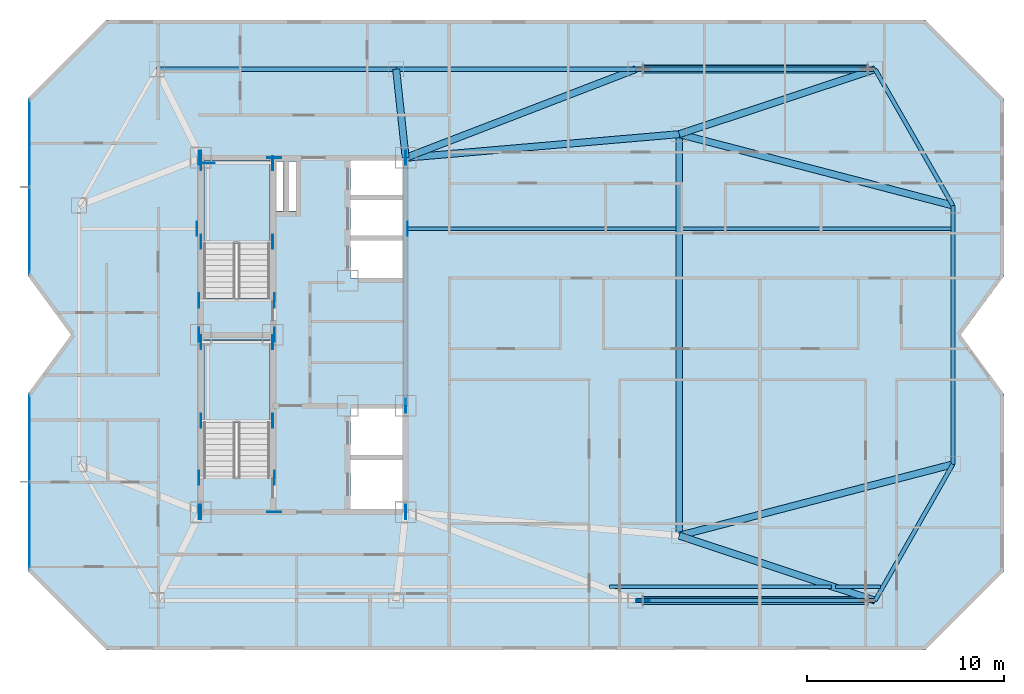
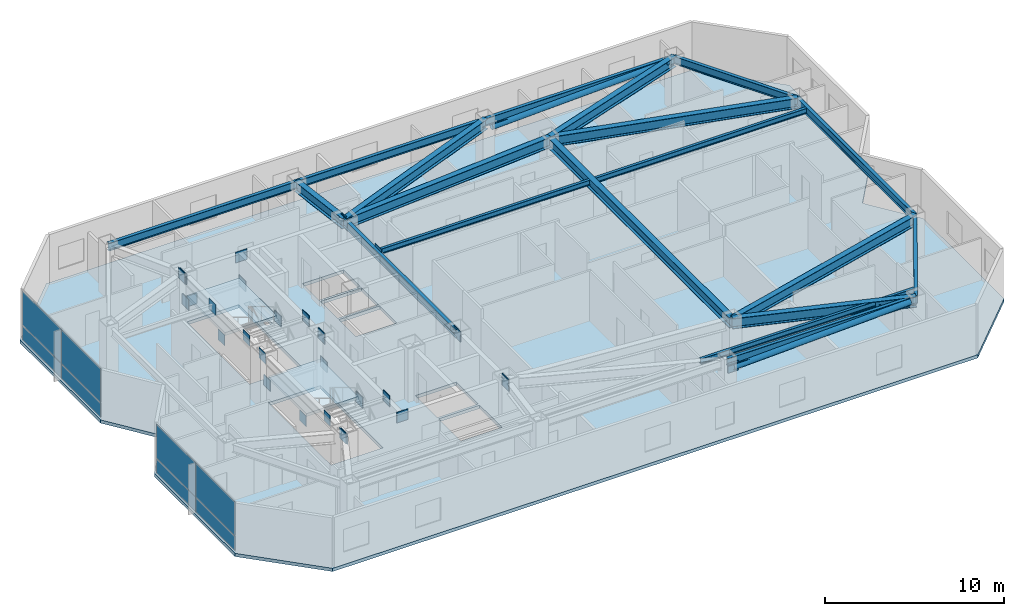
# One storey, part 8 of 15: 37 plates, 20 beams, 3 slabs, 2 members, 4 elements without a shape of their own.
"""IFC4 building model written with IfcOpenShell, lengths in metres."""

import ifcopenshell
import ifcopenshell.guid

model = None  # the IFC model being written
_history = None  # IfcOwnerHistory: only IFC2X3 demands one
_inside = {}  # id of a spatial element -> (the spatial element, [elements in it])
_under = {}  # id of a project, library or spatial element -> (it, [spatial elements below it])
_declared = {}  # id of a project -> (the project, [libraries it declares])
_typed = {}  # id of a type object -> (the type object, [elements of that type])
_made_of = {}  # id of a material, layer set ... -> (it, [elements and type objects made of it])


def new_model(schema):
    """Start an empty IFC model of exactly this schema.

    Asked for "IFC4X3", IfcOpenShell would pick the latest addendum, in which some entities
    have other attributes; the version numbers below select the first issue.
    IFC2X3 requires an IfcOwnerHistory on every rooted entity: one is made here for all.
    """
    global model, _history
    if schema == "IFC4X3":
        model = ifcopenshell.file(schema_version=(4, 3, 0, 0))
    else:
        model = ifcopenshell.file(schema=schema)
    _inside.clear()
    _under.clear()
    _declared.clear()
    _typed.clear()
    _made_of.clear()
    _history = None
    if model.schema == "IFC2X3":
        org = make("IfcOrganization", Name="unknown")
        user = make(
            "IfcPersonAndOrganization",
            ThePerson=make("IfcPerson", FamilyName="unknown"),
            TheOrganization=org,
        )
        app = make(
            "IfcApplication",
            ApplicationDeveloper=org,
            Version="unknown",
            ApplicationFullName="unknown",
            ApplicationIdentifier="unknown",
        )
        _history = make(
            "IfcOwnerHistory",
            OwningUser=user,
            OwningApplication=app,
            ChangeAction="ADDED",
            CreationDate=0,
        )
    return model


def make(cls, **values):
    """One entity of the class cls with the attributes given. An attribute that is None is left unset."""
    return model.create_entity(
        cls, **{name: value for name, value in values.items() if value is not None}
    )


def rooted(cls, **values):
    """An entity with a GlobalId (a new one), such as an element, a storey or a relation."""
    return make(cls, GlobalId=ifcopenshell.guid.new(), OwnerHistory=_history, **values)


def si_unit(unit_type, name, prefix=None):
    """IfcSIUnit, for example si_unit("LENGTHUNIT", "METRE", prefix="MILLI")."""
    return make("IfcSIUnit", UnitType=unit_type, Prefix=prefix, Name=name)


def assignment(units):
    """IfcUnitAssignment: the units of a project."""
    return None if units is None else make("IfcUnitAssignment", Units=units)


def point(xyz):
    """IfcCartesianPoint."""
    return None if xyz is None else make("IfcCartesianPoint", Coordinates=xyz)


def direction(xyz):
    """IfcDirection."""
    return None if xyz is None else make("IfcDirection", DirectionRatios=xyz)


def frame(location, z_axis=None, x_axis=None):
    """IfcAxis2Placement3D, a coordinate frame: its origin and axes. An axis left out is left unset."""
    return make(
        "IfcAxis2Placement3D",
        Location=point(location),
        Axis=direction(z_axis),
        RefDirection=direction(x_axis),
    )


def frame_2d(location, x_axis=None):
    """IfcAxis2Placement2D, a coordinate frame in the plane: its origin and x axis."""
    return make(
        "IfcAxis2Placement2D", Location=point(location), RefDirection=direction(x_axis)
    )


def origin():
    """The frame at (0, 0, 0) with its axes left unset."""
    return frame((0.0, 0.0, 0.0))


def origin_2d():
    """The frame at (0, 0) in the plane with its x axis left unset."""
    return frame_2d((0.0, 0.0))


def place(relative_to, where):
    """IfcLocalPlacement: puts the frame where relative to a parent placement (None: the world)."""
    return make(
        "IfcLocalPlacement", PlacementRelTo=relative_to, RelativePlacement=where
    )


def context(
    kind, dimensions, precision=None, world=None, true_north=None, identifier=None
):
    """IfcGeometricRepresentationContext, for example the 3D "Model" context."""
    return make(
        "IfcGeometricRepresentationContext",
        ContextIdentifier=identifier,
        ContextType=kind,
        CoordinateSpaceDimension=dimensions,
        Precision=precision,
        WorldCoordinateSystem=world,
        TrueNorth=true_north,
    )


def subcontext(parent, identifier, kind, view, scale=None):
    """IfcGeometricRepresentationSubContext, for example "Body" below "Model"."""
    return make(
        "IfcGeometricRepresentationSubContext",
        ContextIdentifier=identifier,
        ContextType=kind,
        ParentContext=parent,
        TargetScale=scale,
        TargetView=view,
    )


def project(units=None, contexts=None):
    """IfcProject with its units and contexts."""
    return rooted(
        "IfcProject",
        Name="project",
        RepresentationContexts=contexts,
        UnitsInContext=assignment(units),
    )


def spatial(cls, under=None, at=None, **own):
    """A site, building, storey or space (cls), placed at a placement, below another one or the project."""
    s = rooted(cls, ObjectPlacement=at, **own)
    if under is not None:
        _under.setdefault(under.id(), (under, []))[1].append(s)
    return s


def polyline(points):
    """IfcPolyline through the points."""
    return make("IfcPolyline", Points=[point(p) for p in points])


def profile(cls, at=None, kind="AREA", **sizes):
    """A parametric profile (cls). Its sizes go by their IFC names, for example OverallWidth=200.0."""
    return make(cls, ProfileType=kind, Position=at, **sizes)


def rectangle(**sizes):
    """IfcRectangleProfileDef."""
    return profile("IfcRectangleProfileDef", **sizes)


def hollow_circle(**sizes):
    """IfcCircleHollowProfileDef."""
    return profile("IfcCircleHollowProfileDef", **sizes)


def i_section(**sizes):
    """IfcIShapeProfileDef."""
    return profile("IfcIShapeProfileDef", **sizes)


def outline(outer, holes=None, kind="AREA"):
    """IfcArbitraryClosedProfileDef: a profile drawn as a closed curve; with holes, ...WithVoids."""
    if holes is None:
        return make("IfcArbitraryClosedProfileDef", ProfileType=kind, OuterCurve=outer)
    return make(
        "IfcArbitraryProfileDefWithVoids",
        ProfileType=kind,
        OuterCurve=outer,
        InnerCurves=holes,
    )


def extrude(swept, where, along, depth):
    """IfcExtrudedAreaSolid: the profile swept, set in the frame where, extruded along a direction by depth."""
    return make(
        "IfcExtrudedAreaSolid",
        SweptArea=swept,
        Position=where,
        ExtrudedDirection=direction(along),
        Depth=depth,
    )


def shape(context_of_items, identifier, shape_type, items):
    """IfcShapeRepresentation: the items that make up one representation, for example the "Body"."""
    return make(
        "IfcShapeRepresentation",
        ContextOfItems=context_of_items,
        RepresentationIdentifier=identifier,
        RepresentationType=shape_type,
        Items=items,
    )


def material(Name=None, Category=None):
    """IfcMaterial."""
    return make("IfcMaterial", Name=Name, Category=Category)


def layer(
    of_material, thickness, ventilated=None, Name=None, Category=None, Priority=None
):
    """IfcMaterialLayer: one layer of a wall or slab, of a material (None: an air gap)."""
    return make(
        "IfcMaterialLayer",
        Material=of_material,
        LayerThickness=thickness,
        IsVentilated=ventilated,
        Name=Name,
        Category=Category,
        Priority=Priority,
    )


def layer_set(layers, Name=None):
    """IfcMaterialLayerSet."""
    return make("IfcMaterialLayerSet", MaterialLayers=layers, LayerSetName=Name)


def material_profile(
    of_material, cross_section, Name=None, Category=None, Priority=None
):
    """IfcMaterialProfile: a cross section and its material."""
    return make(
        "IfcMaterialProfile",
        Name=Name,
        Material=of_material,
        Profile=cross_section,
        Priority=Priority,
        Category=Category,
    )


def profile_set(profiles, Name=None, composite=None):
    """IfcMaterialProfileSet."""
    return make(
        "IfcMaterialProfileSet",
        Name=Name,
        MaterialProfiles=profiles,
        CompositeProfile=composite,
    )


def made_of(thing, what):
    """Note that an element or type object is made of a material, layer set ...; save() writes the relation."""
    if what is not None:
        _made_of.setdefault(what.id(), (what, []))[1].append(thing)
    return thing


def type_object(cls, material=None, **own):
    """A type object (cls), such as IfcWallType, which elements share."""
    return made_of(rooted(cls, **own), material)


def element(
    cls,
    number,
    at=None,
    inside=None,
    cuts=None,
    type_object=None,
    material=None,
    context=None,
    identifier="Body",
    shape_type=None,
    held_by="IfcProductDefinitionShape",
    body=None,
    shapes=None,
    **own,
):
    """One element of the class cls, such as IfcWall. Its Tag is "e" and its number.

    at: its placement. inside: the storey or other place that contains it. cuts: it is an
    opening in that element (IfcRelVoidsElement). A single representation is given by context,
    identifier, shape_type and body (its items); several are given by shapes. held_by: the class
    of the entity that holds the representations. save() writes the other relations.
    """
    e = rooted(cls, Tag="e%d" % number, ObjectPlacement=at, **own)
    if body is not None:
        shapes = [shape(context, identifier, shape_type, body)]
    if shapes is not None:
        e.Representation = make(held_by, Representations=shapes)
    if inside is not None:
        _inside.setdefault(inside.id(), (inside, []))[1].append(e)
    if cuts is not None:
        rooted(
            "IfcRelVoidsElement", RelatingBuildingElement=cuts, RelatedOpeningElement=e
        )
    if type_object is not None:
        _typed.setdefault(type_object.id(), (type_object, []))[1].append(e)
    return made_of(e, material)


def aggregate(whole, parts):
    """IfcRelAggregates: a whole, such as a stair, and the parts it consists of."""
    return rooted("IfcRelAggregates", RelatingObject=whole, RelatedObjects=parts)


def save(model, path):
    """Write the relations noted so far, then the file.

    IfcRelAggregates (storeys below a building ...), IfcRelContainedInSpatialStructure (elements
    in a storey), IfcRelDefinesByType, IfcRelAssociatesMaterial and IfcRelDeclares: one each for
    every whole, place, type object, material and project.
    """
    for whole, parts in _under.values():
        aggregate(whole, parts)
    for where, things in _inside.values():
        rooted(
            "IfcRelContainedInSpatialStructure",
            RelatedElements=things,
            RelatingStructure=where,
        )
    for kind, things in _typed.values():
        rooted("IfcRelDefinesByType", RelatedObjects=things, RelatingType=kind)
    for what, things in _made_of.values():
        rooted("IfcRelAssociatesMaterial", RelatedObjects=things, RelatingMaterial=what)
    for by, libraries in _declared.values():
        rooted("IfcRelDeclares", RelatingContext=by, RelatedDefinitions=libraries)
    model.write(path)


model = new_model("IFC4")

# Units and contexts
model_context = context("Model", 3, precision=1e-05, world=origin(), true_north=direction((0.0, 1.0)))
body_context = subcontext(model_context, "Body", "Model", "MODEL_VIEW")
ifc_project = project(units=[si_unit("LENGTHUNIT", "METRE"), si_unit("AREAUNIT", "SQUARE_METRE"), si_unit("VOLUMEUNIT", "CUBIC_METRE"), si_unit("PLANEANGLEUNIT", "RADIAN"), si_unit("MASSUNIT", "GRAM", prefix="KILO")], contexts=[model_context])

# Site, building, storey
site_placement = place(None, origin())
site = spatial("IfcSite", under=ifc_project, at=site_placement, CompositionType="ELEMENT")
building_placement = place(site_placement, origin())
building = spatial("IfcBuilding", under=site, at=building_placement, Name="Khamvora Tower", CompositionType="ELEMENT")
storey_placement = place(building_placement, frame((0.0, 0.0, 220.85009765625)))
storey = spatial("IfcBuildingStorey", under=building, at=storey_placement, Name="L56", CompositionType="ELEMENT", Elevation=220.85009765625)

# Beams
ifc_material_1 = material(Name="Steel S355", Category="steel")
ifc_material_profile_1 = material_profile(ifc_material_1, i_section(OverallWidth=0.1708984375, OverallDepth=0.35498046875, WebThickness=0.007080078125, FlangeThickness=0.011962890625, FilletRadius=0.010009765625, at=origin_2d()), Name="W360x51")
ifc_profile_set_1 = profile_set([ifc_material_profile_1], Name="Steel S355")
beam_type_1 = type_object("IfcBeamType", Name="BM-JS-W360x51", PredefinedType="JOIST", material=ifc_profile_set_1)
beam_1_placement = place(storey_placement, frame((49.75390625, 15.199951171875, 3.251953125), z_axis=(1.0, 0.0, 0.0), x_axis=(0.0, 1.0, 0.0)))
element("IfcBeam", 1, at=beam_1_placement, inside=storey, type_object=beam_type_1, Name="L56 secondary floor joist 03", PredefinedType="JOIST", context=body_context, shape_type="SweptSolid", body=[
    extrude(i_section(OverallWidth=0.1708984375, OverallDepth=0.35498046875, WebThickness=0.007080078125, FlangeThickness=0.011962890625, FilletRadius=0.010009765625, at=origin_2d()), origin(), (0.0, 0.0, 1.0), 11.2900390625),
])
beam_2_placement = place(storey_placement, frame((61.23388671875, 15.199951171875, 3.251953125), z_axis=(1.0, 0.0, 0.0), x_axis=(0.0, 1.0, 0.0)))
element("IfcBeam", 2, at=beam_2_placement, inside=storey, type_object=beam_type_1, Name="L56 secondary floor joist 04", PredefinedType="JOIST", context=body_context, shape_type="SweptSolid", body=[
    extrude(i_section(OverallWidth=0.1708984375, OverallDepth=0.35498046875, WebThickness=0.007080078125, FlangeThickness=0.011962890625, FilletRadius=0.010009765625, at=origin_2d()), origin(), (0.0, 0.0, 1.0), 2.300048828125),
])
beam_3_placement = place(storey_placement, frame((39.4990234375, 33.39990234375, 3.251953125), z_axis=(1.0, 0.0, 0.0), x_axis=(0.0, 1.0, 0.0)))
element("IfcBeam", 3, at=beam_3_placement, inside=storey, type_object=beam_type_1, Name="L56 secondary floor joist 06", PredefinedType="JOIST", context=body_context, shape_type="SweptSolid", body=[
    extrude(i_section(OverallWidth=0.1708984375, OverallDepth=0.35498046875, WebThickness=0.007080078125, FlangeThickness=0.011962890625, FilletRadius=0.010009765625, at=origin_2d()), origin(), (0.0, 0.0, 1.0), 13.6279296875),
])
beam_4_placement = place(storey_placement, frame((53.471923828125, 33.39990234375, 3.251953125), z_axis=(1.0, 0.0, 0.0), x_axis=(0.0, 1.0, 0.0)))
element("IfcBeam", 4, at=beam_4_placement, inside=storey, type_object=beam_type_1, Name="L56 secondary floor joist 07", PredefinedType="JOIST", context=body_context, shape_type="SweptSolid", body=[
    extrude(i_section(OverallWidth=0.1708984375, OverallDepth=0.35498046875, WebThickness=0.007080078125, FlangeThickness=0.011962890625, FilletRadius=0.010009765625, at=origin_2d()), origin(), (0.0, 0.0, 1.0), 13.628173828125),
])
ifc_material_profile_2 = material_profile(ifc_material_1, i_section(OverallWidth=0.35498046875, OverallDepth=0.695068359375, WebThickness=0.014892578125, FlangeThickness=0.02490234375, FilletRadius=0.01611328125, at=origin_2d()), Name="W690x217")
ifc_profile_set_2 = profile_set([ifc_material_profile_2], Name="Steel S355")
beam_type_2 = type_object("IfcBeamType", Name="BM-PG-W690x217", PredefinedType="BEAM", material=ifc_profile_set_2)
beam_5_placement = place(storey_placement, frame((53.300048828125, 17.800048828125, 3.0830078125), z_axis=(0.0, 1.0, 0.0), x_axis=(-1.0, 0.0, 0.0)))
element("IfcBeam", 5, at=beam_5_placement, inside=storey, type_object=beam_type_2, Name="L56 longitudinal frame girder M1-M2", PredefinedType="BEAM", context=body_context, shape_type="SweptSolid", body=[
    extrude(i_section(OverallWidth=0.35498046875, OverallDepth=0.695068359375, WebThickness=0.014892578125, FlangeThickness=0.02490234375, FilletRadius=0.01611328125, at=origin_2d()), origin(), (0.0, 0.0, 1.0), 20.39990234375),
])
beam_6_placement = place(storey_placement, frame((53.300048828125, 17.800048828125, 3.0830078125), z_axis=(0.949157330029, -0.314802101092, 0.0), x_axis=(0.314802101092, 0.949157330029, 0.0)))
element("IfcBeam", 6, at=beam_6_placement, inside=storey, type_object=beam_type_2, Name="L56 primary floor girder S4", PredefinedType="BEAM", context=body_context, shape_type="SweptSolid", body=[
    extrude(i_section(OverallWidth=0.35498046875, OverallDepth=0.695068359375, WebThickness=0.014892578125, FlangeThickness=0.02490234375, FilletRadius=0.01611328125, at=origin_2d()), origin(), (0.0, 0.0, 1.0), 10.48291015625),
])
beam_7_placement = place(storey_placement, frame((39.39990234375, 37.0, 3.0830078125), z_axis=(-0.106700735484, 0.994291181218, 0.0), x_axis=(-0.994291181218, -0.106700735484, 0.0)))
element("IfcBeam", 7, at=beam_7_placement, inside=storey, type_object=beam_type_2, Name="L56 primary floor girder N2", PredefinedType="BEAM", context=body_context, shape_type="SweptSolid", body=[
    extrude(i_section(OverallWidth=0.35498046875, OverallDepth=0.695068359375, WebThickness=0.014892578125, FlangeThickness=0.02490234375, FilletRadius=0.01611328125, at=origin_2d()), origin(), (0.0, 0.0, 1.0), 4.52587890625),
])
beam_8_placement = place(storey_placement, frame((39.39990234375, 37.0, 3.0830078125), z_axis=(0.933171601475, 0.359431164759, 0.0), x_axis=(-0.359431164759, 0.933171601475, 0.0)))
element("IfcBeam", 8, at=beam_8_placement, inside=storey, type_object=beam_type_2, Name="L56 primary floor girder N3", PredefinedType="BEAM", context=body_context, shape_type="SweptSolid", body=[
    extrude(i_section(OverallWidth=0.35498046875, OverallDepth=0.695068359375, WebThickness=0.014892578125, FlangeThickness=0.02490234375, FilletRadius=0.01611328125, at=origin_2d()), origin(), (0.0, 0.0, 1.0), 12.519775390625),
])
beam_9_placement = place(storey_placement, frame((53.300048828125, 38.199951171875, 3.0830078125), z_axis=(0.949157330029, 0.314802101092, 0.0), x_axis=(-0.314802101092, 0.949157330029, 0.0)))
element("IfcBeam", 9, at=beam_9_placement, inside=storey, type_object=beam_type_2, Name="L56 primary floor girder N4", PredefinedType="BEAM", context=body_context, shape_type="SweptSolid", body=[
    extrude(i_section(OverallWidth=0.35498046875, OverallDepth=0.695068359375, WebThickness=0.014892578125, FlangeThickness=0.02490234375, FilletRadius=0.01611328125, at=origin_2d()), origin(), (0.0, 0.0, 1.0), 10.48291015625),
])
for number, where, z_axis, x_axis, name in (
    (10, (53.300048828125, 17.800048828125, 3.0830078125), (0.967635318494, 0.252352710314, 0.0), (-0.252352710314, 0.967635318494, 0.0), "L56 primary floor girder E1"),
    (11, (53.300048828125, 38.199951171875, 3.0830078125), (0.967635318494, -0.252352710314, 0.0), (0.252352710314, 0.967635318494, 0.0), "L56 primary floor girder E2"),
):
    element("IfcBeam", number, at=place(storey_placement, frame(where, z_axis=z_axis, x_axis=x_axis)), inside=storey, type_object=beam_type_2, Name=name, PredefinedType="BEAM", context=body_context, shape_type="SweptSolid", body=[
        extrude(i_section(OverallWidth=0.35498046875, OverallDepth=0.695068359375, WebThickness=0.014892578125, FlangeThickness=0.02490234375, FilletRadius=0.01611328125, at=origin_2d()), origin(), (0.0, 0.0, 1.0), 14.36474609375),
    ])
beam_10_placement = place(storey_placement, frame((39.39990234375, 37.0, 3.0830078125), z_axis=(0.996294564212, 0.08600663534, 0.0), x_axis=(-0.08600663534, 0.996294564212, 0.0)))
element("IfcBeam", 12, at=beam_10_placement, inside=storey, type_object=beam_type_2, Name="L56 primary floor girder M2", PredefinedType="BEAM", context=body_context, shape_type="SweptSolid", body=[
    extrude(i_section(OverallWidth=0.35498046875, OverallDepth=0.695068359375, WebThickness=0.014892578125, FlangeThickness=0.02490234375, FilletRadius=0.01611328125, at=origin_2d()), origin(), (0.0, 0.0, 1.0), 13.951904296875),
])
ifc_material_profile_3 = material_profile(ifc_material_1, i_section(OverallWidth=0.208984375, OverallDepth=0.532958984375, WebThickness=0.010009765625, FlangeThickness=0.01611328125, FilletRadius=0.013916015625, at=origin_2d()), Name="W530x92")
ifc_profile_set_3 = profile_set([ifc_material_profile_3], Name="Steel S355")
beam_type_3 = type_object("IfcBeamType", Name="BM-SP-W530x92", PredefinedType="SPANDREL", material=ifc_profile_set_3)
beam_11_placement = place(storey_placement, frame((51.0830078125, 14.5, 3.162841796875), z_axis=(1.0, 0.0, 0.0), x_axis=(0.0, 1.0, 0.0)))
element("IfcBeam", 13, at=beam_11_placement, inside=storey, type_object=beam_type_3, Name="L56 perimeter spandrel beam S3-S4", PredefinedType="SPANDREL", context=body_context, shape_type="SweptSolid", body=[
    extrude(i_section(OverallWidth=0.208984375, OverallDepth=0.532958984375, WebThickness=0.010009765625, FlangeThickness=0.01611328125, FilletRadius=0.013916015625, at=origin_2d()), origin(), (0.0, 0.0, 1.0), 12.1669921875),
])
beam_12_placement = place(storey_placement, frame((63.25, 14.5, 3.162841796875), z_axis=(0.495456118564, 0.868632968853, 0.0), x_axis=(-0.868632968853, 0.495456118564, 0.0)))
element("IfcBeam", 14, at=beam_12_placement, inside=storey, type_object=beam_type_3, Name="L56 perimeter spandrel beam S4-E1", PredefinedType="SPANDREL", context=body_context, shape_type="SweptSolid", body=[
    extrude(i_section(OverallWidth=0.208984375, OverallDepth=0.532958984375, WebThickness=0.010009765625, FlangeThickness=0.01611328125, FilletRadius=0.013916015625, at=origin_2d()), origin(), (0.0, 0.0, 1.0), 7.972412109375),
])
beam_13_placement = place(storey_placement, frame((67.199951171875, 21.425048828125, 3.162841796875), z_axis=(0.0, 1.0, 0.0), x_axis=(-1.0, 0.0, 0.0)))
element("IfcBeam", 15, at=beam_13_placement, inside=storey, type_object=beam_type_3, Name="L56 perimeter spandrel beam E1-E2", PredefinedType="SPANDREL", context=body_context, shape_type="SweptSolid", body=[
    extrude(i_section(OverallWidth=0.208984375, OverallDepth=0.532958984375, WebThickness=0.010009765625, FlangeThickness=0.01611328125, FilletRadius=0.013916015625, at=origin_2d()), origin(), (0.0, 0.0, 1.0), 13.14990234375),
])
beam_14_placement = place(storey_placement, frame((67.199951171875, 34.574951171875, 3.162841796875), z_axis=(-0.495456118564, 0.868632968853, 0.0), x_axis=(-0.868632968853, -0.495456118564, 0.0)))
element("IfcBeam", 16, at=beam_14_placement, inside=storey, type_object=beam_type_3, Name="L56 perimeter spandrel beam E2-N4", PredefinedType="SPANDREL", context=body_context, shape_type="SweptSolid", body=[
    extrude(i_section(OverallWidth=0.208984375, OverallDepth=0.532958984375, WebThickness=0.010009765625, FlangeThickness=0.01611328125, FilletRadius=0.013916015625, at=origin_2d()), origin(), (0.0, 0.0, 1.0), 7.972412109375),
])
beam_15_placement = place(storey_placement, frame((63.25, 41.5, 3.162841796875), z_axis=(-1.0, 0.0, 0.0), x_axis=(0.0, -1.0, 0.0)))
element("IfcBeam", 17, at=beam_15_placement, inside=storey, type_object=beam_type_3, Name="L56 perimeter spandrel beam N4-N3", PredefinedType="SPANDREL", context=body_context, shape_type="SweptSolid", body=[
    extrude(i_section(OverallWidth=0.208984375, OverallDepth=0.532958984375, WebThickness=0.010009765625, FlangeThickness=0.01611328125, FilletRadius=0.013916015625, at=origin_2d()), origin(), (0.0, 0.0, 1.0), 12.1669921875),
])
beam_16_placement = place(storey_placement, frame((51.0830078125, 41.5, 3.162841796875), z_axis=(-1.0, 0.0, 0.0), x_axis=(0.0, -1.0, 0.0)))
element("IfcBeam", 18, at=beam_16_placement, inside=storey, type_object=beam_type_3, Name="L56 perimeter spandrel beam N3-N2", PredefinedType="SPANDREL", context=body_context, shape_type="SweptSolid", body=[
    extrude(i_section(OverallWidth=0.208984375, OverallDepth=0.532958984375, WebThickness=0.010009765625, FlangeThickness=0.01611328125, FilletRadius=0.013916015625, at=origin_2d()), origin(), (0.0, 0.0, 1.0), 12.166015625),
])
beam_17_placement = place(storey_placement, frame((38.9169921875, 41.5, 3.162841796875), z_axis=(-1.0, 0.0, 0.0), x_axis=(0.0, -1.0, 0.0)))
element("IfcBeam", 19, at=beam_17_placement, inside=storey, type_object=beam_type_3, Name="L56 perimeter spandrel beam N2-N1", PredefinedType="SPANDREL", context=body_context, shape_type="SweptSolid", body=[
    extrude(i_section(OverallWidth=0.208984375, OverallDepth=0.532958984375, WebThickness=0.010009765625, FlangeThickness=0.01611328125, FilletRadius=0.013916015625, at=origin_2d()), origin(), (0.0, 0.0, 1.0), 12.1669921875),
])
beam_18_placement = place(storey_placement, frame((39.39990234375, 24.39990234375, 3.162841796875), z_axis=(0.0, 1.0, 0.0), x_axis=(-1.0, 0.0, 0.0)))
element("IfcBeam", 20, at=beam_18_placement, inside=storey, type_object=beam_type_3, Name="L56 core spine girder EN", PredefinedType="SPANDREL", context=body_context, shape_type="SweptSolid", body=[
    extrude(i_section(OverallWidth=0.208984375, OverallDepth=0.532958984375, WebThickness=0.010009765625, FlangeThickness=0.01611328125, FilletRadius=0.013916015625, at=origin_2d()), origin(), (0.0, 0.0, 1.0), 12.60009765625),
])

# Members
ifc_material_profile_4 = material_profile(ifc_material_1, hollow_circle(Radius=0.202880859375, WallThickness=0.01611328125, at=origin_2d()), Name="CHS406x16")
ifc_profile_set_4 = profile_set([ifc_material_profile_4], Name="Steel S355")
member_type = type_object("IfcMemberType", Name="MEM-BR-CHS406", PredefinedType="BRACE", material=ifc_profile_set_4)
for number, where, z_axis, x_axis, name in (
    (21, (51.462890625, 14.5, 2.69482421875), (0.999211988894, 0.0, 0.039691324617), (0.0, 1.0, 0.0), "L56 perimeter wind brace 1"),
    (22, (51.462890625, 41.5, 2.69482421875), (0.999211988894, 0.0, 0.039691324617), (0.0, 1.0, 0.0), "L56 perimeter wind brace 2"),
):
    element("IfcMember", number, at=place(storey_placement, frame(where, z_axis=z_axis, x_axis=x_axis)), inside=storey, type_object=member_type, Name=name, PredefinedType="BRACE", context=body_context, shape_type="SweptSolid", body=[
        extrude(hollow_circle(Radius=0.202880859375, WallThickness=0.01611328125, at=origin_2d()), origin(), (0.0, 0.0, 1.0), 11.416259765625),
    ])

# Curtain wall, plates
ifc_material_2 = material(Name="Anodised Aluminium 6063-T6", Category="aluminium")
curtain_wall_type = type_object("IfcCurtainWallType", Name="CW-SYS-05", PredefinedType="NOTDEFINED", material=ifc_material_2)
curtain_wall_1_placement = place(storey_placement, origin())
curtain_wall_1 = element("IfcCurtainWall", 23, at=curtain_wall_1_placement, inside=storey, type_object=curtain_wall_type, Name="L56 stick curtain wall 02.1", PredefinedType="NOTDEFINED")
ifc_material_3 = material(Name="Low-E Laminated Double Glazing", Category="glass")
ifc_layer_1 = layer(ifc_material_3, 0.02587890625)
ifc_layer_set_1 = layer_set([ifc_layer_1], Name="Low-E Laminated Double Glazing")
plate_type_1 = type_object("IfcPlateType", Name="CW-SYS-05-PNL", PredefinedType="CURTAIN_PANEL", material=ifc_layer_set_1)
plate_1_placement = place(storey_placement, frame((20.300048828125, 18.334716796875, 0.059814453125), z_axis=(0.0, 0.0, 1.0), x_axis=(0.0, 1.0, 0.0)))
plate_1 = element("IfcPlate", 24, at=plate_1_placement, type_object=plate_type_1, Name="CW-05 panel 1.1", PredefinedType="CURTAIN_PANEL", context=body_context, shape_type="SweptSolid", body=[
    extrude(rectangle(XDim=4.341552734375, YDim=0.02587890625, at=origin_2d()), origin(), (0.0, 0.0, 1.0), 0.9599609375),
])
plate_2_placement = place(storey_placement, frame((20.300048828125, 18.334716796875, 1.079833984375), z_axis=(0.0, 0.0, 1.0), x_axis=(0.0, 1.0, 0.0)))
plate_2 = element("IfcPlate", 25, at=plate_2_placement, type_object=plate_type_1, Name="CW-05 panel 1.2", PredefinedType="CURTAIN_PANEL", context=body_context, shape_type="SweptSolid", body=[
    extrude(rectangle(XDim=4.341552734375, YDim=0.02587890625, at=origin_2d()), origin(), (0.0, 0.0, 1.0), 2.2900390625),
])
plate_3_placement = place(storey_placement, frame((20.300048828125, 22.736328125, 0.059814453125), z_axis=(0.0, 0.0, 1.0), x_axis=(0.0, 1.0, 0.0)))
plate_3 = element("IfcPlate", 26, at=plate_3_placement, type_object=plate_type_1, Name="CW-05 panel 2.1", PredefinedType="CURTAIN_PANEL", context=body_context, shape_type="SweptSolid", body=[
    extrude(rectangle(XDim=4.341552734375, YDim=0.02587890625, at=origin_2d()), origin(), (0.0, 0.0, 1.0), 0.9599609375),
])
plate_4_placement = place(storey_placement, frame((20.300048828125, 22.736328125, 1.079833984375), z_axis=(0.0, 0.0, 1.0), x_axis=(0.0, 1.0, 0.0)))
plate_4 = element("IfcPlate", 27, at=plate_4_placement, type_object=plate_type_1, Name="CW-05 panel 2.2", PredefinedType="CURTAIN_PANEL", context=body_context, shape_type="SweptSolid", body=[
    extrude(rectangle(XDim=4.341552734375, YDim=0.02587890625, at=origin_2d()), origin(), (0.0, 0.0, 1.0), 2.2900390625),
])
aggregate(curtain_wall_1, [plate_1, plate_2, plate_3, plate_4])

curtain_wall_2_placement = place(storey_placement, origin())
curtain_wall_2 = element("IfcCurtainWall", 28, at=curtain_wall_2_placement, inside=storey, type_object=curtain_wall_type, Name="L56 stick curtain wall 05.1", PredefinedType="NOTDEFINED")
plate_5_placement = place(storey_placement, frame((20.300048828125, 33.31787109375, 0.059814453125), z_axis=(0.0, 0.0, 1.0), x_axis=(0.0, 1.0, 0.0)))
plate_5 = element("IfcPlate", 29, at=plate_5_placement, type_object=plate_type_1, Name="CW-05 panel 1.1", PredefinedType="CURTAIN_PANEL", context=body_context, shape_type="SweptSolid", body=[
    extrude(rectangle(XDim=4.347412109375, YDim=0.02587890625, at=origin_2d()), origin(), (0.0, 0.0, 1.0), 0.9599609375),
])
plate_6_placement = place(storey_placement, frame((20.300048828125, 33.31787109375, 1.079833984375), z_axis=(0.0, 0.0, 1.0), x_axis=(0.0, 1.0, 0.0)))
plate_6 = element("IfcPlate", 30, at=plate_6_placement, type_object=plate_type_1, Name="CW-05 panel 1.2", PredefinedType="CURTAIN_PANEL", context=body_context, shape_type="SweptSolid", body=[
    extrude(rectangle(XDim=4.347412109375, YDim=0.02587890625, at=origin_2d()), origin(), (0.0, 0.0, 1.0), 2.2900390625),
])
plate_7_placement = place(storey_placement, frame((20.300048828125, 37.725341796875, 0.059814453125), z_axis=(0.0, 0.0, 1.0), x_axis=(0.0, 1.0, 0.0)))
plate_7 = element("IfcPlate", 31, at=plate_7_placement, type_object=plate_type_1, Name="CW-05 panel 2.1", PredefinedType="CURTAIN_PANEL", context=body_context, shape_type="SweptSolid", body=[
    extrude(rectangle(XDim=4.347412109375, YDim=0.02587890625, at=origin_2d()), origin(), (0.0, 0.0, 1.0), 0.9599609375),
])
plate_8_placement = place(storey_placement, frame((20.300048828125, 37.725341796875, 1.079833984375), z_axis=(0.0, 0.0, 1.0), x_axis=(0.0, 1.0, 0.0)))
plate_8 = element("IfcPlate", 32, at=plate_8_placement, type_object=plate_type_1, Name="CW-05 panel 2.2", PredefinedType="CURTAIN_PANEL", context=body_context, shape_type="SweptSolid", body=[
    extrude(rectangle(XDim=4.347412109375, YDim=0.02587890625, at=origin_2d()), origin(), (0.0, 0.0, 1.0), 2.2900390625),
])
aggregate(curtain_wall_2, [plate_5, plate_6, plate_7, plate_8])

# Plates
ifc_material_4 = material(Name="Steel S460", Category="steel")
ifc_layer_2 = layer(ifc_material_4, 0.034912109375)
ifc_layer_set_2 = layer_set([ifc_layer_2], Name="Steel S460")
plate_type_2 = type_object("IfcPlateType", Name="PL-EMB-35", PredefinedType="SHEET", material=ifc_layer_set_2)
for number, where, z_axis, x_axis, name in (
    (33, (29.0, 23.635009765625, 1.1337890625), (0.0, 0.0, 1.0), (1.0, 0.0, 0.0), "L56 core shear wall cast-in embed plate 1630"),
    (34, (32.64990234375, 23.635009765625, 1.1337890625), (0.0, 0.0, 1.0), (1.0, 0.0, 0.0), "L56 core shear wall cast-in embed plate 1631"),
    (35, (29.0, 27.6298828125, 1.1337890625), (0.0, 0.0, 1.0), (1.0, 0.0, 0.0), "L56 core shear wall cast-in embed plate 1632"),
    (36, (32.64990234375, 27.6298828125, 1.1337890625), (0.0, 0.0, 1.0), (1.0, 0.0, 0.0), "L56 core shear wall cast-in embed plate 1633"),
    (37, (29.0, 32.735107421875, 1.1337890625), (0.0, 0.0, 1.0), (1.0, 0.0, 0.0), "L56 core shear wall cast-in embed plate 1634"),
    (38, (32.64990234375, 32.735107421875, 1.1337890625), (0.0, 0.0, 1.0), (1.0, 0.0, 0.0), "L56 core shear wall cast-in embed plate 1635"),
    (39, (29.0, 36.72998046875, 1.1337890625), (0.0, 0.0, 1.0), (1.0, 0.0, 0.0), "L56 core shear wall cast-in embed plate 1636"),
    (40, (32.64990234375, 36.72998046875, 1.1337890625), (0.0, 0.0, 1.0), (1.0, 0.0, 0.0), "L56 core shear wall cast-in embed plate 1637"),
):
    element("IfcPlate", number, at=place(storey_placement, frame(where, z_axis=z_axis, x_axis=x_axis)), inside=storey, type_object=plate_type_2, Name=name, PredefinedType="SHEET", context=body_context, shape_type="SweptSolid", body=[
        extrude(rectangle(XDim=0.034912109375, YDim=0.719970703125, at=origin_2d()), origin(), (0.0, 0.0, 1.0), 0.719970703125),
    ])
plate_9_placement = place(storey_placement, frame((29.35009765625, 36.72998046875, 1.1337890625), z_axis=(0.0, 0.0, 1.0), x_axis=(1.0, 0.0, 0.0)))
element("IfcPlate", 41, at=plate_9_placement, inside=storey, type_object=plate_type_2, Name="L56 core shear wall cast-in embed plate 1638", PredefinedType="SHEET", context=body_context, shape_type="SweptSolid", body=[
    extrude(rectangle(XDim=0.719970703125, YDim=0.034912109375, at=origin_2d()), origin(), (0.0, 0.0, 1.0), 0.719970703125),
])
for number, where, z_axis, x_axis, name in (
    (42, (29.0, 19.0, 2.72314453125), (0.0, 0.0, 1.0), (1.0, 0.0, 0.0), "L56 core shear wall cast-in embed plate 1639"),
    (43, (39.39990234375, 19.0, 2.72314453125), (0.0, 0.0, 1.0), (1.0, 0.0, 0.0), "L56 core shear wall cast-in embed plate 1640"),
    (44, (29.0, 37.0, 2.72314453125), (0.0, 0.0, 1.0), (1.0, 0.0, 0.0), "L56 core shear wall cast-in embed plate 1641"),
    (45, (39.39990234375, 37.0, 2.72314453125), (0.0, 0.0, 1.0), (1.0, 0.0, 0.0), "L56 core shear wall cast-in embed plate 1642"),
    (46, (28.89990234375, 19.0, 2.802734375), (0.0, 0.0, 1.0), (1.0, 0.0, 0.0), "L56 core shear wall cast-in embed plate 1643"),
    (47, (28.89990234375, 28.0, 2.802734375), (0.0, 0.0, 1.0), (1.0, 0.0, 0.0), "L56 core shear wall cast-in embed plate 1644"),
    (48, (28.89990234375, 37.0, 2.802734375), (0.0, 0.0, 1.0), (1.0, 0.0, 0.0), "L56 core shear wall cast-in embed plate 1645"),
):
    element("IfcPlate", number, at=place(storey_placement, frame(where, z_axis=z_axis, x_axis=x_axis)), inside=storey, type_object=plate_type_2, Name=name, PredefinedType="SHEET", context=body_context, shape_type="SweptSolid", body=[
        extrude(rectangle(XDim=0.034912109375, YDim=0.719970703125, at=origin_2d()), origin(), (0.0, 0.0, 1.0), 0.719970703125),
    ])
plate_10_placement = place(storey_placement, frame((32.72998046875, 19.0, 2.802734375), z_axis=(0.0, 0.0, 1.0), x_axis=(1.0, 0.0, 0.0)))
element("IfcPlate", 49, at=plate_10_placement, inside=storey, type_object=plate_type_2, Name="L56 core shear wall cast-in embed plate 1646", PredefinedType="SHEET", context=body_context, shape_type="SweptSolid", body=[
    extrude(rectangle(XDim=0.719970703125, YDim=0.034912109375, at=origin_2d()), origin(), (0.0, 0.0, 1.0), 0.719970703125),
])
plate_11_placement = place(storey_placement, frame((32.72998046875, 28.0, 2.802734375), z_axis=(0.0, 0.0, 1.0), x_axis=(1.0, 0.0, 0.0)))
element("IfcPlate", 50, at=plate_11_placement, inside=storey, type_object=plate_type_2, Name="L56 core shear wall cast-in embed plate 1647", PredefinedType="SHEET", context=body_context, shape_type="SweptSolid", body=[
    extrude(rectangle(XDim=0.034912109375, YDim=0.719970703125, at=origin_2d()), origin(), (0.0, 0.0, 1.0), 0.719970703125),
])
plate_12_placement = place(storey_placement, frame((32.72998046875, 37.0, 2.802734375), z_axis=(0.0, 0.0, 1.0), x_axis=(1.0, 0.0, 0.0)))
element("IfcPlate", 51, at=plate_12_placement, inside=storey, type_object=plate_type_2, Name="L56 core shear wall cast-in embed plate 1648", PredefinedType="SHEET", context=body_context, shape_type="SweptSolid", body=[
    extrude(rectangle(XDim=0.719970703125, YDim=0.034912109375, at=origin_2d()), origin(), (0.0, 0.0, 1.0), 0.719970703125),
])
for number, where, z_axis, x_axis, name in (
    (52, (39.39990234375, 19.0, 2.802734375), (0.0, 0.0, 1.0), (1.0, 0.0, 0.0), "L56 core shear wall cast-in embed plate 1649"),
    (53, (39.39990234375, 24.39990234375, 2.802734375), (0.0, 0.0, 1.0), (1.0, 0.0, 0.0), "L56 core shear wall cast-in embed plate 1650"),
    (54, (39.39990234375, 37.0, 2.802734375), (0.0, 0.0, 1.0), (1.0, 0.0, 0.0), "L56 core shear wall cast-in embed plate 1651"),
    (55, (28.89990234375, 20.75, 2.94384765625), (0.0, 0.0, 1.0), (1.0, 0.0, 0.0), "L56 core shear wall cast-in embed plate 1652"),
    (56, (32.72998046875, 20.75, 2.94384765625), (0.0, 0.0, 1.0), (1.0, 0.0, 0.0), "L56 core shear wall cast-in embed plate 1653"),
    (57, (28.89990234375, 29.75, 2.94384765625), (0.0, 0.0, 1.0), (1.0, 0.0, 0.0), "L56 core shear wall cast-in embed plate 1654"),
    (58, (32.72998046875, 29.75, 2.94384765625), (0.0, 0.0, 1.0), (1.0, 0.0, 0.0), "L56 core shear wall cast-in embed plate 1655"),
    (59, (28.800048828125, 33.39990234375, 2.89208984375), (0.0, 0.0, 1.0), (1.0, 0.0, 0.0), "L56 core shear wall cast-in embed plate 1656"),
    (60, (39.4990234375, 33.39990234375, 2.89208984375), (0.0, 0.0, 1.0), (1.0, 0.0, 0.0), "L56 core shear wall cast-in embed plate 1657"),
):
    element("IfcPlate", number, at=place(storey_placement, frame(where, z_axis=z_axis, x_axis=x_axis)), inside=storey, type_object=plate_type_2, Name=name, PredefinedType="SHEET", context=body_context, shape_type="SweptSolid", body=[
        extrude(rectangle(XDim=0.034912109375, YDim=0.719970703125, at=origin_2d()), origin(), (0.0, 0.0, 1.0), 0.719970703125),
    ])
ifc_layer_3 = layer(ifc_material_4, 0.0400390625)
ifc_layer_set_3 = layer_set([ifc_layer_3], Name="Steel S460")
plate_type_3 = type_object("IfcPlateType", Name="PLT-GUS-40", PredefinedType="SHEET", material=ifc_layer_set_3)
plate_13_placement = place(storey_placement, frame((51.462890625, 14.5, 2.35498046875), z_axis=(0.0, 0.0, 1.0), x_axis=(1.0, 0.0, 0.0)))
element("IfcPlate", 61, at=plate_13_placement, inside=storey, type_object=plate_type_3, Name="L56 brace connection node gusset plate 0377", PredefinedType="SHEET", context=body_context, shape_type="SweptSolid", body=[
    extrude(rectangle(XDim=0.679931640625, YDim=0.0400390625, at=origin_2d()), origin(), (0.0, 0.0, 1.0), 0.679931640625),
])

# Stair, slab
ifc_material_5 = material(Name="Concrete C40/50", Category="concrete")
stair_type_1 = type_object("IfcStairType", Name="STR-ST-01", PredefinedType="HALF_TURN_STAIR", material=ifc_material_5)
stair_1_placement = place(storey_placement, origin())
stair_1 = element("IfcStair", 62, at=stair_1_placement, inside=storey, type_object=stair_type_1, Name="L56 South Tower Exit Stair ST-01", PredefinedType="HALF_TURN_STAIR")
ifc_layer_4 = layer(ifc_material_5, 0.199951171875)
ifc_layer_set_4 = layer_set([ifc_layer_4], Name="Concrete C40/50")
slab_type_1 = type_object("IfcSlabType", Name="SLB-LND-200", PredefinedType="LANDING", material=ifc_layer_set_4)
slab_1_placement = place(storey_placement, frame((0.0, 0.0, 1.625)))
slab_1 = element("IfcSlab", 63, at=slab_1_placement, type_object=slab_type_1, Name="ST-01 landing 1", PredefinedType="LANDING", context=body_context, shape_type="SweptSolid", body=[
    extrude(outline(polyline([(32.5, 23.514892578125), (32.5, 27.75), (29.14990234375, 27.75), (29.14990234375, 23.514892578125), (32.5, 23.514892578125)])), origin(), (0.0, 0.0, 1.0), 0.199951171875),
])
aggregate(stair_1, [slab_1])

stair_type_2 = type_object("IfcStairType", Name="STR-ST-02", PredefinedType="HALF_TURN_STAIR", material=ifc_material_5)
stair_2_placement = place(storey_placement, origin())
stair_2 = element("IfcStair", 64, at=stair_2_placement, inside=storey, type_object=stair_type_2, Name="L56 North Tower Exit Stair ST-02", PredefinedType="HALF_TURN_STAIR")
slab_2_placement = place(storey_placement, frame((0.0, 0.0, 1.625)))
slab_2 = element("IfcSlab", 65, at=slab_2_placement, type_object=slab_type_1, Name="ST-02 landing 1", PredefinedType="LANDING", context=body_context, shape_type="SweptSolid", body=[
    extrude(outline(polyline([(32.5, 32.614990234375), (32.5, 36.85009765625), (29.14990234375, 36.85009765625), (29.14990234375, 32.614990234375), (32.5, 32.614990234375)])), origin(), (0.0, 0.0, 1.0), 0.199951171875),
])
aggregate(stair_2, [slab_2])

# Slab
ifc_material_6 = material(Name="Concrete C35/45", Category="concrete")
ifc_layer_5 = layer(ifc_material_6, 0.219970703125)
ifc_layer_set_5 = layer_set([ifc_layer_5], Name="Concrete C35/45")
slab_type_2 = type_object("IfcSlabType", Name="SLB-TYP-220", PredefinedType="FLOOR", material=ifc_layer_set_5)
slab_3_placement = place(storey_placement, frame((0.0, 0.0, -0.22021484375)))
element("IfcSlab", 66, at=slab_3_placement, inside=storey, type_object=slab_type_2, Name="L56 structural floor slab", PredefinedType="FLOOR", context=body_context, shape_type="SweptSolid", body=[
    extrude(outline(polyline([(24.199951171875, 12.0), (65.800048828125, 12.0), (69.800048828125, 16.0), (69.800048828125, 25.0), (67.60009765625, 28.0), (69.800048828125, 31.0), (69.800048828125, 40.0), (65.800048828125, 44.0), (24.199951171875, 44.0), (20.199951171875, 40.0), (20.199951171875, 31.0), (22.39990234375, 28.0), (20.199951171875, 25.0), (20.199951171875, 16.0), (24.199951171875, 12.0)]), holes=[polyline([(32.5, 20.760009765625), (32.5, 27.75), (29.14990234375, 27.75), (29.14990234375, 20.760009765625), (32.5, 20.760009765625)]), polyline([(32.5, 29.860107421875), (32.5, 36.85009765625), (29.14990234375, 36.85009765625), (29.14990234375, 29.860107421875), (32.5, 29.860107421875)]), polyline([(36.60009765625, 19.14990234375), (39.25, 19.14990234375), (39.25, 21.64990234375), (36.60009765625, 21.64990234375), (36.60009765625, 19.14990234375)]), polyline([(36.60009765625, 21.800048828125), (39.25, 21.800048828125), (39.25, 24.25), (36.60009765625, 24.25), (36.60009765625, 21.800048828125)]), polyline([(36.60009765625, 30.89990234375), (39.25, 30.89990234375), (39.25, 32.800048828125), (36.60009765625, 32.800048828125), (36.60009765625, 30.89990234375)]), polyline([(36.60009765625, 32.949951171875), (39.25, 32.949951171875), (39.25, 34.85009765625), (36.60009765625, 34.85009765625), (36.60009765625, 32.949951171875)]), polyline([(36.60009765625, 35.0), (39.25, 35.0), (39.25, 36.85009765625), (36.60009765625, 36.85009765625), (36.60009765625, 35.0)]), polyline([(32.800048828125, 34.300048828125), (33.199951171875, 34.300048828125), (33.199951171875, 36.800048828125), (32.800048828125, 36.800048828125), (32.800048828125, 34.300048828125)]), polyline([(33.47998046875, 34.300048828125), (33.820068359375, 34.300048828125), (33.820068359375, 36.800048828125), (33.47998046875, 36.800048828125), (33.47998046875, 34.300048828125)])]), origin(), (0.0, 0.0, 1.0), 0.22021484375),
])

save(model, "model.ifc")
